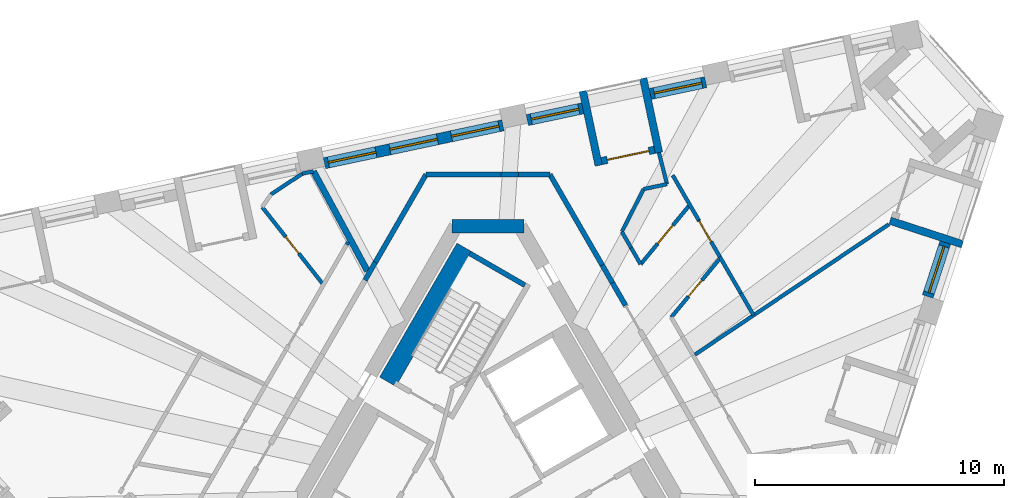
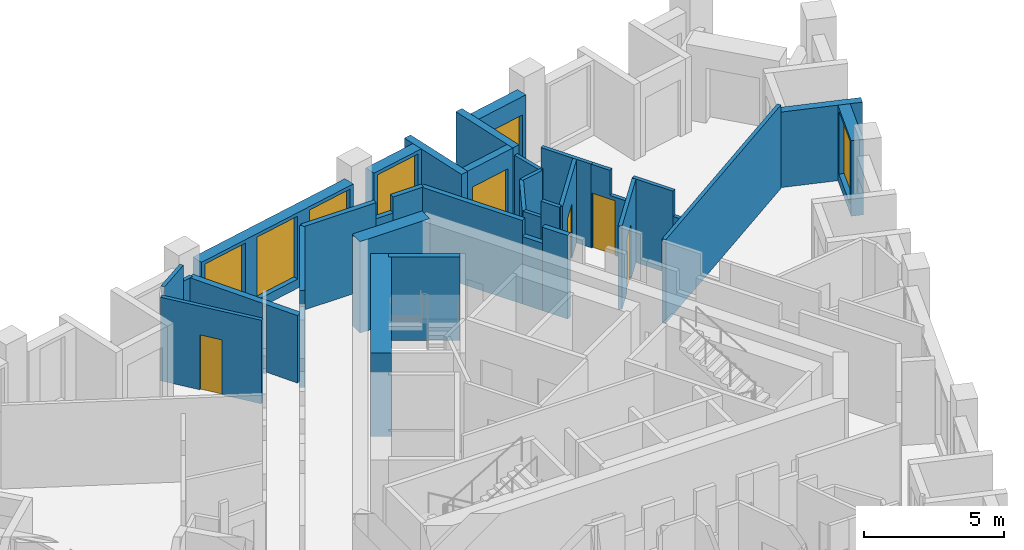
# One storey, part 7 of 12: 36 walls, 6 windows, 5 doors, 11 openings.
"""IFC4 building model written with IfcOpenShell, lengths in metres."""

from ifc_helpers import new_model, si_unit, direction, frame, frame_2d, origin, place, context, subcontext, project, spatial, polyline, rectangle, outline, extrude, material, layer, layer_set, type_object, element, fill, save


model = new_model("IFC4")

# Units and contexts
model_context = context("Model", 3, precision=1e-05, world=origin(), true_north=direction((0.0, 1.0)))
body_context = subcontext(model_context, "Body", "Model", "MODEL_VIEW")
ifc_project = project(units=[si_unit("LENGTHUNIT", "METRE"), si_unit("AREAUNIT", "SQUARE_METRE"), si_unit("VOLUMEUNIT", "CUBIC_METRE"), si_unit("PLANEANGLEUNIT", "RADIAN"), si_unit("MASSUNIT", "GRAM", prefix="KILO")], contexts=[model_context])

# Site, building, storey
site_placement = place(None, origin())
site = spatial("IfcSite", under=ifc_project, at=site_placement, CompositionType="ELEMENT")
building_placement = place(site_placement, origin())
building = spatial("IfcBuilding", under=site, at=building_placement, Name="Tramontana Tower", CompositionType="ELEMENT")
storey_placement = place(building_placement, frame((0.0, 0.0, 336.39990234375)))
storey = spatial("IfcBuildingStorey", under=building, at=storey_placement, Name="L77", CompositionType="ELEMENT", Elevation=336.39990234375)

# Walls
ifc_material_1 = material(Name="Concrete 70 MPa", Category="concrete")
ifc_layer_1 = layer(ifc_material_1, 0.550048828125)
ifc_layer_set_1 = layer_set([ifc_layer_1], Name="Core wall 550 70 MPa")
wall_type_1 = type_object("IfcWallType", Name="Core wall 550 70 MPa", PredefinedType="SHEAR", material=ifc_layer_set_1)
wall_1_placement = place(storey_placement, frame((1.443359375, 10.72509765625, 0.0), z_axis=(0.0, 0.0, 1.0), x_axis=(-1.0, 0.0, 0.0)))
element("IfcWall", 1, at=wall_1_placement, inside=storey, type_object=wall_type_1, Name="Core wall C0 L77", PredefinedType="SHEAR", context=body_context, shape_type="SweptSolid", body=[
    extrude(rectangle(XDim=2.88671875, YDim=0.550048828125, at=frame_2d((1.443359375, 0.0))), origin(), (0.0, 0.0, 1.0), 4.0),
])
ifc_material_2 = material(Name="Blockwork", Category="masonry")
ifc_layer_2 = layer(ifc_material_2, 0.199951171875)
ifc_layer_set_2 = layer_set([ifc_layer_2], Name="ENTRY WALL 200")
wall_type_2 = type_object("IfcWallType", Name="ENTRY WALL 200", PredefinedType="SOLIDWALL", material=ifc_layer_set_2)
wall_2_placement = place(storey_placement, frame((-4.9287109375, 8.563232421875, 0.0), z_axis=(0.0, 0.0, 1.0), x_axis=(0.500046299512, 0.865998671098, 0.0)))
element("IfcWall", 2, at=wall_2_placement, inside=storey, type_object=wall_type_2, Name="Wall v81-ew3-9", PredefinedType="SOLIDWALL", context=body_context, shape_type="SweptSolid", body=[
    extrude(rectangle(XDim=0.82666015625, YDim=0.199951171875, at=frame_2d((0.413330078125, 0.0))), origin(), (0.0, 0.0, 1.0), 2.9501953125),
])
wall_3_placement = place(storey_placement, frame((-4.515380859375, 9.279052734375, 0.0), z_axis=(0.0, 0.0, 1.0), x_axis=(0.499975428181, 0.866039589866, 0.0)))
element("IfcWall", 3, at=wall_3_placement, inside=storey, type_object=wall_type_2, Name="Wall v81-ew3-10", PredefinedType="SOLIDWALL", context=body_context, shape_type="SweptSolid", body=[
    extrude(rectangle(XDim=4.065673828125, YDim=0.199951171875, at=frame_2d((2.03271484375, 0.0))), origin(), (0.0, 0.0, 1.0), 3.650146484375),
])
wall_4_placement = place(storey_placement, frame((-2.482666015625, 12.800048828125, 0.0), z_axis=(0.0, 0.0, 1.0), x_axis=(1.0, 0.0, 0.0)))
element("IfcWall", 4, at=wall_4_placement, inside=storey, type_object=wall_type_2, Name="Wall v81-ew4-0", PredefinedType="SOLIDWALL", context=body_context, shape_type="SweptSolid", body=[
    extrude(rectangle(XDim=3.0029296875, YDim=0.199951171875, at=frame_2d((1.50146484375, 0.0))), origin(), (0.0, 0.0, 1.0), 3.650146484375),
])
wall_5_placement = place(storey_placement, frame((0.520263671875, 12.800048828125, 0.0), z_axis=(0.0, 0.0, 1.0), x_axis=(1.0, 0.0, 0.0)))
element("IfcWall", 5, at=wall_5_placement, inside=storey, type_object=wall_type_2, Name="Wall v81-ew4-1", PredefinedType="SOLIDWALL", context=body_context, shape_type="SweptSolid", body=[
    extrude(rectangle(XDim=0.701416015625, YDim=0.199951171875, at=frame_2d((0.3505859375, 0.0))), origin(), (0.0, 0.0, 1.0), 2.9501953125),
])
wall_6_placement = place(storey_placement, frame((1.2216796875, 12.800048828125, 0.0), z_axis=(0.0, 0.0, 1.0), x_axis=(1.0, 0.0, 0.0)))
element("IfcWall", 6, at=wall_6_placement, inside=storey, type_object=wall_type_2, Name="Wall v81-ew4-2", PredefinedType="SOLIDWALL", context=body_context, shape_type="SweptSolid", body=[
    extrude(rectangle(XDim=1.260986328125, YDim=0.199951171875, at=frame_2d((0.63037109375, 0.0))), origin(), (0.0, 0.0, 1.0), 3.650146484375),
])
wall_7_placement = place(storey_placement, frame((2.482666015625, 12.800048828125, 0.0), z_axis=(0.0, 0.0, 1.0), x_axis=(0.499982771656, -0.866035350345, 0.0)))
element("IfcWall", 7, at=wall_7_placement, inside=storey, type_object=wall_type_2, Name="Wall v81-ew5-0", PredefinedType="SOLIDWALL", context=body_context, shape_type="SweptSolid", body=[
    extrude(rectangle(XDim=4.194580078125, YDim=0.199951171875, at=frame_2d((2.09716796875, 0.0))), origin(), (0.0, 0.0, 1.0), 3.650146484375),
])
wall_8_placement = place(storey_placement, frame((4.579833984375, 9.16748046875, 0.0), z_axis=(0.0, 0.0, 1.0), x_axis=(0.499945576647, -0.866056822842, 0.0)))
element("IfcWall", 8, at=wall_8_placement, inside=storey, type_object=wall_type_2, Name="Wall v81-ew5-1", PredefinedType="SOLIDWALL", context=body_context, shape_type="SweptSolid", body=[
    extrude(rectangle(XDim=0.82080078125, YDim=0.199951171875, at=frame_2d((0.410400390625, 0.0))), origin(), (0.0, 0.0, 1.0), 2.9501953125),
])
wall_9_placement = place(storey_placement, frame((4.990234375, 8.45654296875, 0.0), z_axis=(0.0, 0.0, 1.0), x_axis=(0.500064554934, -0.865988129768, 0.0)))
element("IfcWall", 9, at=wall_9_placement, inside=storey, type_object=wall_type_2, Name="Wall v81-ew5-2", PredefinedType="SOLIDWALL", context=body_context, shape_type="SweptSolid", body=[
    extrude(rectangle(XDim=1.050048828125, YDim=0.199951171875, at=frame_2d((0.52490234375, 0.0))), origin(), (0.0, 0.0, 1.0), 3.650146484375),
])

# Wall, opening, window
ifc_material_3 = material(Name="Precast concrete 60 MPa", Category="concrete")
ifc_layer_3 = layer(ifc_material_3, 0.449951171875)
ifc_layer_set_3 = layer_set([ifc_layer_3], Name="Precast concrete 60 MPa, 450 mm")
wall_type_3 = type_object("IfcWallType", Name="EW1 Stone-faced precast wall 450", PredefinedType="SOLIDWALL", material=ifc_layer_set_3)
wall_10_placement = place(storey_placement, frame((17.632080078125, 7.9091796875, 0.0), z_axis=(0.0, 0.0, 1.0), x_axis=(0.309027740273, 0.951053024674, 0.0)))
wall_10 = element("IfcWall", 10, at=wall_10_placement, inside=storey, type_object=wall_type_3, Name="External wall L77 face 1 bay 5", PredefinedType="SOLIDWALL", context=body_context, shape_type="SweptSolid", body=[
    extrude(rectangle(XDim=2.271240234375, YDim=0.449951171875, at=frame_2d((1.1357421875, 0.0))), origin(), (0.0, 0.0, 1.0), 3.300048828125),
])
opening_1_placement = place(wall_10_placement, frame((0.16064453125, 0.0, 0.39990234375)))
opening_1 = element("IfcOpeningElement", 11, at=opening_1_placement, cuts=wall_10, Name="Opening M3", PredefinedType="OPENING", context=body_context, shape_type="SweptSolid", body=[
    extrude(rectangle(XDim=1.949951171875, YDim=2.75, at=frame_2d((0.97509765625, 1.375))), frame((0.0, 0.23486328125, 0.0), z_axis=(0.0, -1.0, 0.0), x_axis=(1.0, 0.0, 0.0)), (0.0, 0.0, 1.0), 0.469970703125),
])
ifc_material_4 = material(Name="Aluminum frame, double glazing unit", Category="aluminium")
window_type_1 = type_object("IfcWindowType", Name="M3 Window 1.95 x 2.75", PartitioningType="SINGLE_PANEL", PredefinedType="WINDOW", material=ifc_material_4)
window_1_placement = place(opening_1_placement, origin())
window_1 = element("IfcWindow", 12, at=window_1_placement, inside=storey, type_object=window_type_1, Name="Window M3 L77 face 1 module 13", OverallHeight=2.75, OverallWidth=1.949951171875, PartitioningType="SINGLE_PANEL", PredefinedType="WINDOW", context=body_context, shape_type="SweptSolid", body=[
    extrude(rectangle(XDim=1.949951171875, YDim=2.75, at=frame_2d((0.97509765625, 1.375))), frame((0.0, 0.030029296875, 0.0), z_axis=(0.0, -1.0, 0.0), x_axis=(1.0, 0.0, 0.0)), (0.0, 0.0, 1.0), 0.06005859375),
])
fill(opening_1, window_1)

wall_11_placement = place(storey_placement, frame((8.73095703125, 16.500732421875, 0.0), z_axis=(0.0, 0.0, 1.0), x_axis=(-0.978153386925, -0.207884467067, 0.0)))
wall_11 = element("IfcWall", 13, at=wall_11_placement, inside=storey, type_object=wall_type_3, Name="External wall L77 face 2 bay 2", PredefinedType="SOLIDWALL", context=body_context, shape_type="SweptSolid", body=[
    extrude(rectangle(XDim=2.271240234375, YDim=0.449951171875, at=frame_2d((1.1357421875, 0.0))), origin(), (0.0, 0.0, 1.0), 3.300048828125),
])
opening_2_placement = place(wall_11_placement, frame((0.16064453125, 0.0, 0.39990234375)))
opening_2 = element("IfcOpeningElement", 14, at=opening_2_placement, cuts=wall_11, Name="Opening M3L", PredefinedType="OPENING", context=body_context, shape_type="SweptSolid", body=[
    extrude(rectangle(XDim=1.949951171875, YDim=2.10009765625, at=frame_2d((0.97509765625, 1.050048828125))), frame((0.0, 0.23486328125, 0.0), z_axis=(0.0, -1.0, 0.0), x_axis=(1.0, 0.0, 0.0)), (0.0, 0.0, 1.0), 0.469970703125),
])
ifc_material_5 = material(Name="Aluminum frame, double glazing unit", Category="aluminium")
window_type_2 = type_object("IfcWindowType", Name="M3L Window 1.95 x 2.1", PartitioningType="SINGLE_PANEL", PredefinedType="WINDOW", material=ifc_material_5)
window_2_placement = place(opening_2_placement, origin())
window_2 = element("IfcWindow", 15, at=window_2_placement, inside=storey, type_object=window_type_2, Name="Window M3L L77 face 2 module 4", OverallHeight=2.10009765625, OverallWidth=1.949951171875, PartitioningType="SINGLE_PANEL", PredefinedType="WINDOW", context=body_context, shape_type="SweptSolid", body=[
    extrude(rectangle(XDim=1.949951171875, YDim=2.10009765625, at=frame_2d((0.97509765625, 1.050048828125))), frame((0.0, 0.030029296875, 0.0), z_axis=(0.0, -1.0, 0.0), x_axis=(1.0, 0.0, 0.0)), (0.0, 0.0, 1.0), 0.06005859375),
])
fill(opening_2, window_2)

wall_12_placement = place(storey_placement, frame((3.798583984375, 15.452392578125, 0.0), z_axis=(0.0, 0.0, 1.0), x_axis=(-0.978153386925, -0.207884467067, 0.0)))
wall_12 = element("IfcWall", 16, at=wall_12_placement, inside=storey, type_object=wall_type_3, Name="External wall L77 face 2 bay 2", PredefinedType="SOLIDWALL", context=body_context, shape_type="SweptSolid", body=[
    extrude(rectangle(XDim=2.271240234375, YDim=0.449951171875, at=frame_2d((1.1357421875, 0.0))), origin(), (0.0, 0.0, 1.0), 3.300048828125),
])
opening_3_placement = place(wall_12_placement, frame((0.16064453125, 0.0, 0.39990234375)))
opening_3 = element("IfcOpeningElement", 17, at=opening_3_placement, cuts=wall_12, Name="Opening M3", PredefinedType="OPENING", context=body_context, shape_type="SweptSolid", body=[
    extrude(rectangle(XDim=1.949951171875, YDim=2.75, at=frame_2d((0.97509765625, 1.375))), frame((0.0, 0.23486328125, 0.0), z_axis=(0.0, -1.0, 0.0), x_axis=(1.0, 0.0, 0.0)), (0.0, 0.0, 1.0), 0.469970703125),
])
window_3_placement = place(opening_3_placement, origin())
window_3 = element("IfcWindow", 18, at=window_3_placement, inside=storey, type_object=window_type_1, Name="Window M3 L77 face 2 module 6", OverallHeight=2.75, OverallWidth=1.949951171875, PartitioningType="SINGLE_PANEL", PredefinedType="WINDOW", context=body_context, shape_type="SweptSolid", body=[
    extrude(rectangle(XDim=1.949951171875, YDim=2.75, at=frame_2d((0.97509765625, 1.375))), frame((0.0, 0.030029296875, 0.0), z_axis=(0.0, -1.0, 0.0), x_axis=(1.0, 0.0, 0.0)), (0.0, 0.0, 1.0), 0.06005859375),
])
fill(opening_3, window_3)

# Wall, openings, windows
wall_13_placement = place(storey_placement, frame((0.5986328125, 14.772216796875, 0.0), z_axis=(0.0, 0.0, 1.0), x_axis=(-0.978151299843, -0.207894287118, 0.0)))
wall_13 = element("IfcWall", 19, at=wall_13_placement, inside=storey, type_object=wall_type_3, Name="External wall L77 face 2 bay 3", PredefinedType="SOLIDWALL", context=body_context, shape_type="SweptSolid", body=[
    extrude(rectangle(XDim=7.31396484375, YDim=0.449951171875, at=frame_2d((3.656982421875, 0.0))), origin(), (0.0, 0.0, 1.0), 3.300048828125),
])
opening_4_placement = place(wall_13_placement, frame((0.16064453125, 0.0, 0.39990234375)))
opening_4 = element("IfcOpeningElement", 20, at=opening_4_placement, cuts=wall_13, Name="Opening M3", PredefinedType="OPENING", context=body_context, shape_type="SweptSolid", body=[
    extrude(rectangle(XDim=1.949951171875, YDim=2.75, at=frame_2d((0.97509765625, 1.375))), frame((0.0, 0.23486328125, 0.0), z_axis=(0.0, -1.0, 0.0), x_axis=(1.0, 0.0, 0.0)), (0.0, 0.0, 1.0), 0.469970703125),
])
opening_5_placement = place(wall_13_placement, frame((2.681884765625, 0.0, 0.39990234375)))
opening_5 = element("IfcOpeningElement", 21, at=opening_5_placement, cuts=wall_13, Name="Opening M3", PredefinedType="OPENING", context=body_context, shape_type="SweptSolid", body=[
    extrude(rectangle(XDim=1.949951171875, YDim=2.75, at=frame_2d((0.97509765625, 1.375))), frame((0.0, 0.23486328125, 0.0), z_axis=(0.0, -1.0, 0.0), x_axis=(1.0, 0.0, 0.0)), (0.0, 0.0, 1.0), 0.469970703125),
])
opening_6_placement = place(wall_13_placement, frame((5.203125, 0.0, 0.39990234375)))
opening_6 = element("IfcOpeningElement", 22, at=opening_6_placement, cuts=wall_13, Name="Opening M3", PredefinedType="OPENING", context=body_context, shape_type="SweptSolid", body=[
    extrude(rectangle(XDim=1.949951171875, YDim=2.75, at=frame_2d((0.97509765625, 1.375))), frame((0.0, 0.23486328125, 0.0), z_axis=(0.0, -1.0, 0.0), x_axis=(1.0, 0.0, 0.0)), (0.0, 0.0, 1.0), 0.469970703125),
])
window_4_placement = place(opening_4_placement, origin())
window_4 = element("IfcWindow", 23, at=window_4_placement, inside=storey, type_object=window_type_1, Name="Window M3 L77 face 2 module 7", OverallHeight=2.75, OverallWidth=1.949951171875, PartitioningType="SINGLE_PANEL", PredefinedType="WINDOW", context=body_context, shape_type="SweptSolid", body=[
    extrude(rectangle(XDim=1.949951171875, YDim=2.75, at=frame_2d((0.97509765625, 1.375))), frame((0.0, 0.030029296875, 0.0), z_axis=(0.0, -1.0, 0.0), x_axis=(1.0, 0.0, 0.0)), (0.0, 0.0, 1.0), 0.06005859375),
])
fill(opening_4, window_4)
window_5_placement = place(opening_5_placement, origin())
window_5 = element("IfcWindow", 24, at=window_5_placement, inside=storey, type_object=window_type_1, Name="Window M3 L77 face 2 module 8", OverallHeight=2.75, OverallWidth=1.949951171875, PartitioningType="SINGLE_PANEL", PredefinedType="WINDOW", context=body_context, shape_type="SweptSolid", body=[
    extrude(rectangle(XDim=1.949951171875, YDim=2.75, at=frame_2d((0.97509765625, 1.375))), frame((0.0, 0.030029296875, 0.0), z_axis=(0.0, -1.0, 0.0), x_axis=(1.0, 0.0, 0.0)), (0.0, 0.0, 1.0), 0.06005859375),
])
fill(opening_5, window_5)
window_6_placement = place(opening_6_placement, origin())
window_6 = element("IfcWindow", 25, at=window_6_placement, inside=storey, type_object=window_type_1, Name="Window M3 L77 face 2 module 9", OverallHeight=2.75, OverallWidth=1.949951171875, PartitioningType="SINGLE_PANEL", PredefinedType="WINDOW", context=body_context, shape_type="SweptSolid", body=[
    extrude(rectangle(XDim=1.949951171875, YDim=2.75, at=frame_2d((0.97509765625, 1.375))), frame((0.0, 0.030029296875, 0.0), z_axis=(0.0, -1.0, 0.0), x_axis=(1.0, 0.0, 0.0)), (0.0, 0.0, 1.0), 0.06005859375),
])
fill(opening_6, window_6)

# Wall
ifc_material_6 = material(Name="Precast concrete 60 MPa", Category="concrete")
ifc_layer_4 = layer(ifc_material_6, 0.300048828125)
ifc_layer_set_4 = layer_set([ifc_layer_4], Name="LW1 Stone-faced loggia wall 300")
wall_type_4 = type_object("IfcWallType", Name="LW1 Stone-faced loggia wall 300", PredefinedType="SOLIDWALL", material=ifc_layer_set_4)
wall_14_placement = place(storey_placement, frame((19.022216796875, 10.00341796875, 0.0), z_axis=(0.0, 0.0, 1.0), x_axis=(-0.951041715693, 0.309062542235, 0.0)))
element("IfcWall", 26, at=wall_14_placement, inside=storey, type_object=wall_type_4, Name="Loggia return L77 G8S1.13a", PredefinedType="SOLIDWALL", context=body_context, shape_type="SweptSolid", body=[
    extrude(rectangle(XDim=3.050048828125, YDim=0.300048828125, at=frame_2d((1.52490234375, 0.0))), origin(), (0.0, 0.0, 1.0), 3.300048828125),
])

# Wall, opening, door
wall_15_placement = place(storey_placement, frame((6.678466796875, 13.789794921875, 0.0), z_axis=(0.0, 0.0, 1.0), x_axis=(-0.978153135692, -0.207885649183, 0.0)))
wall_15 = element("IfcWall", 27, at=wall_15_placement, inside=storey, type_object=wall_type_4, Name="Loggia wall L77 G8S2.4", PredefinedType="SOLIDWALL", context=body_context, shape_type="SweptSolid", body=[
    extrude(rectangle(XDim=2.17138671875, YDim=0.300048828125, at=frame_2d((1.085693359375, 0.0))), origin(), (0.0, 0.0, 1.0), 3.300048828125),
])
opening_7_placement = place(wall_15_placement, frame((0.235595703125, 0.0, 0.0)))
opening_7 = element("IfcOpeningElement", 28, at=opening_7_placement, cuts=wall_15, Name="Opening BD-8S2-04", PredefinedType="OPENING", context=body_context, shape_type="SweptSolid", body=[
    extrude(rectangle(XDim=1.699951171875, YDim=2.5, at=frame_2d((0.85009765625, 1.25))), frame((0.0, 0.159912109375, 0.0), z_axis=(0.0, -1.0, 0.0), x_axis=(1.0, 0.0, 0.0)), (0.0, 0.0, 1.0), 0.320068359375),
])
ifc_material_7 = material(Name="Aluminum frame, double glazing unit", Category="aluminium")
door_type_1 = type_object("IfcDoorType", Name="BD3 Sliding door 1.7 x 2.5", OperationType="SLIDING_TO_LEFT", PredefinedType="DOOR", material=ifc_material_7)
door_1_placement = place(opening_7_placement, origin())
door_1 = element("IfcDoor", 29, at=door_1_placement, inside=storey, type_object=door_type_1, Name="Loggia door L77 G8S2.4", OperationType="SLIDING_TO_LEFT", OverallHeight=2.5, OverallWidth=1.699951171875, PredefinedType="DOOR", context=body_context, shape_type="SweptSolid", body=[
    extrude(rectangle(XDim=1.699951171875, YDim=2.5, at=frame_2d((0.85009765625, 1.25))), frame((0.0, 0.02490234375, 0.0), z_axis=(0.0, -1.0, 0.0), x_axis=(1.0, 0.0, 0.0)), (0.0, 0.0, 1.0), 0.050048828125),
])
fill(opening_7, door_1)

# Walls
for number, where, z_axis, x_axis, name in (
    (30, (6.22216796875, 16.65771484375, 0.0), (0.0, 0.0, 1.0), (0.207877902534, -0.978154782045, 0.0), "Loggia return L77 G8S2.4a"),
    (31, (3.804931640625, 16.143798828125, 0.0), (0.0, 0.0, 1.0), (0.207877902534, -0.978154782045, 0.0), "Loggia return L77 G8S2.4b"),
):
    element("IfcWall", number, at=place(storey_placement, frame(where, z_axis=z_axis, x_axis=x_axis)), inside=storey, type_object=wall_type_4, Name=name, PredefinedType="SOLIDWALL", context=body_context, shape_type="SweptSolid", body=[
        extrude(rectangle(XDim=3.050048828125, YDim=0.300048828125, at=frame_2d((1.52490234375, 0.0))), origin(), (0.0, 0.0, 1.0), 3.300048828125),
    ])
ifc_material_8 = material(Name="Gypsum board partition")
ifc_layer_5 = layer(ifc_material_8, 0.14990234375)
ifc_layer_set_5 = layer_set([ifc_layer_5], Name="PARTITION 150")
wall_type_5 = type_object("IfcWallType", Name="PARTITION 150", PredefinedType="PARTITIONING", material=ifc_layer_set_5)
wall_16_placement = place(storey_placement, frame((-5.666748046875, 9.984619140625, 0.0), z_axis=(0.0, 0.0, 1.0), x_axis=(0.499323735398, 0.866415493437, 0.0)))
element("IfcWall", 32, at=wall_16_placement, inside=storey, type_object=wall_type_5, Name="Wall v81-pw07-8", PredefinedType="PARTITIONING", context=body_context, shape_type="SweptSolid", body=[
    extrude(rectangle(XDim=0.123779296875, YDim=0.14990234375, at=frame_2d((0.06201171875, 0.0))), origin(), (0.0, 0.0, 1.0), 2.9501953125),
])
wall_17_placement = place(storey_placement, frame((-8.701416015625, 12.000732421875, 0.0), z_axis=(0.0, 0.0, 1.0), x_axis=(0.834111861679, 0.551595324678, 0.0)))
element("IfcWall", 33, at=wall_17_placement, inside=storey, type_object=wall_type_5, Name="Wall v81-pw08", PredefinedType="PARTITIONING", context=body_context, shape_type="SweptSolid", body=[
    extrude(rectangle(XDim=1.508056640625, YDim=0.14990234375, at=frame_2d((0.75390625, 0.0))), origin(), (0.0, 0.0, 1.0), 3.650146484375),
])

# Wall, opening, door
wall_18_placement = place(storey_placement, frame((-9.052001953125, 11.494384765625, 0.0), z_axis=(0.0, 0.0, 1.0), x_axis=(0.618736062821, -0.785598933658, 0.0)))
wall_18 = element("IfcWall", 34, at=wall_18_placement, inside=storey, type_object=wall_type_5, Name="Wall v81-pw10", PredefinedType="PARTITIONING", context=body_context, shape_type="SweptSolid", body=[
    extrude(rectangle(XDim=3.888916015625, YDim=0.14990234375, at=frame_2d((1.9443359375, 0.0))), origin(), (0.0, 0.0, 1.0), 3.650146484375),
])
opening_8_placement = place(wall_18_placement, frame((1.51953125, 0.0, 0.0)))
opening_8 = element("IfcOpeningElement", 35, at=opening_8_placement, cuts=wall_18, Name="Opening B8B-05", PredefinedType="OPENING", context=body_context, shape_type="SweptSolid", body=[
    extrude(rectangle(XDim=0.85009765625, YDim=2.39990234375, at=frame_2d((0.425048828125, 1.199951171875))), frame((0.0, 0.0849609375, 0.0), z_axis=(0.0, -1.0, 0.0), x_axis=(1.0, 0.0, 0.0)), (0.0, 0.0, 1.0), 0.169921875),
])
ifc_material_9 = material(Name="Painted timber", Category="wood")
door_type_2 = type_object("IfcDoorType", Name="DOOR BATH 850", OperationType="SINGLE_SWING_LEFT", PredefinedType="DOOR", material=ifc_material_9)
door_2_placement = place(opening_8_placement, origin())
door_2 = element("IfcDoor", 36, at=door_2_placement, inside=storey, type_object=door_type_2, Name="Door B8B-05", OperationType="SINGLE_SWING_LEFT", OverallHeight=2.39990234375, OverallWidth=0.85009765625, PredefinedType="DOOR", context=body_context, shape_type="SweptSolid", body=[
    extrude(rectangle(XDim=0.85009765625, YDim=2.39990234375, at=frame_2d((0.425048828125, 1.199951171875))), frame((0.0, 0.02490234375, 0.0), z_axis=(0.0, -1.0, 0.0), x_axis=(1.0, 0.0, 0.0)), (0.0, 0.0, 1.0), 0.050048828125),
])
fill(opening_8, door_2)

# Walls
wall_19_placement = place(storey_placement, frame((5.36767578125, 10.5029296875, 0.0), z_axis=(0.0, 0.0, 1.0), x_axis=(0.49999788721, -0.866026623601, 0.0)))
element("IfcWall", 37, at=wall_19_placement, inside=storey, type_object=wall_type_5, Name="Wall v81-pw16-0", PredefinedType="PARTITIONING", context=body_context, shape_type="SweptSolid", body=[
    extrude(rectangle(XDim=0.74169921875, YDim=0.14990234375, at=frame_2d((0.370849609375, 0.0))), origin(), (0.0, 0.0, 1.0), 2.9501953125),
])
wall_20_placement = place(storey_placement, frame((5.738525390625, 9.860595703125, 0.0), z_axis=(0.0, 0.0, 1.0), x_axis=(0.499945245186, -0.866057014183, 0.0)))
element("IfcWall", 38, at=wall_20_placement, inside=storey, type_object=wall_type_5, Name="Wall v81-pw16-1", PredefinedType="PARTITIONING", context=body_context, shape_type="SweptSolid", body=[
    extrude(rectangle(XDim=0.7587890625, YDim=0.14990234375, at=frame_2d((0.37939453125, 0.0))), origin(), (0.0, 0.0, 1.0), 3.650146484375),
])

# Wall, opening, door
wall_21_placement = place(storey_placement, frame((6.123046875, 9.202880859375, 0.0), z_axis=(0.0, 0.0, 1.0), x_axis=(0.637527238258, 0.770427816527, 0.0)))
wall_21 = element("IfcWall", 39, at=wall_21_placement, inside=storey, type_object=wall_type_5, Name="Wall v81-pw17", PredefinedType="PARTITIONING", context=body_context, shape_type="SweptSolid", body=[
    extrude(rectangle(XDim=3.086181640625, YDim=0.14990234375, at=frame_2d((1.54296875, 0.0))), origin(), (0.0, 0.0, 1.0), 3.650146484375),
])
opening_9_placement = place(wall_21_placement, frame((1.068115234375, 0.0, 0.0)))
opening_9 = element("IfcOpeningElement", 40, at=opening_9_placement, cuts=wall_21, Name="Opening B8B-10", PredefinedType="OPENING", context=body_context, shape_type="SweptSolid", body=[
    extrude(rectangle(XDim=0.949951171875, YDim=2.39990234375, at=frame_2d((0.47509765625, 1.199951171875))), frame((0.0, 0.0849609375, 0.0), z_axis=(0.0, -1.0, 0.0), x_axis=(1.0, 0.0, 0.0)), (0.0, 0.0, 1.0), 0.169921875),
])
ifc_material_10 = material(Name="Painted timber", Category="wood")
door_type_3 = type_object("IfcDoorType", Name="DOOR ROOM 950", OperationType="SINGLE_SWING_LEFT", PredefinedType="DOOR", material=ifc_material_10)
door_3_placement = place(opening_9_placement, origin())
door_3 = element("IfcDoor", 41, at=door_3_placement, inside=storey, type_object=door_type_3, Name="Door B8B-10", OperationType="SINGLE_SWING_RIGHT", OverallHeight=2.39990234375, OverallWidth=0.949951171875, PredefinedType="DOOR", context=body_context, shape_type="SweptSolid", body=[
    extrude(rectangle(XDim=0.949951171875, YDim=2.39990234375, at=frame_2d((0.47509765625, 1.199951171875))), frame((0.0, 0.02490234375, 0.0), z_axis=(0.0, -1.0, 0.0), x_axis=(1.0, 0.0, 0.0)), (0.0, 0.0, 1.0), 0.050048828125),
])
fill(opening_9, door_3)

# Walls
wall_22_placement = place(storey_placement, frame((6.24072265625, 12.213623046875, 0.0), z_axis=(0.0, 0.0, 1.0), x_axis=(-0.454983274657, -0.890499983033, 0.0)))
element("IfcWall", 42, at=wall_22_placement, inside=storey, type_object=wall_type_5, Name="Wall v81-pw18-0", PredefinedType="PARTITIONING", context=body_context, shape_type="SweptSolid", body=[
    extrude(rectangle(XDim=1.9189453125, YDim=0.14990234375, at=frame_2d((0.95947265625, 0.0))), origin(), (0.0, 0.0, 1.0), 2.9501953125),
])
wall_23_placement = place(storey_placement, frame((6.856201171875, 13.67431640625, 0.0), z_axis=(0.0, 0.0, 1.0), x_axis=(0.245448654104, -0.969409592586, 0.0)))
element("IfcWall", 43, at=wall_23_placement, inside=storey, type_object=wall_type_5, Name="Wall v81-pw20-0", PredefinedType="PARTITIONING", context=body_context, shape_type="SweptSolid", body=[
    extrude(rectangle(XDim=1.301025390625, YDim=0.14990234375, at=frame_2d((0.650390625, 0.0))), origin(), (0.0, 0.0, 1.0), 2.9501953125),
])
wall_24_placement = place(storey_placement, frame((7.17529296875, 12.4130859375, 0.0), z_axis=(0.0, 0.0, 1.0), x_axis=(-0.978167956207, -0.207815902784, 0.0)))
element("IfcWall", 44, at=wall_24_placement, inside=storey, type_object=wall_type_5, Name="Wall v81-pw23-0", PredefinedType="PARTITIONING", context=body_context, shape_type="SweptSolid", body=[
    extrude(rectangle(XDim=0.953857421875, YDim=0.14990234375, at=frame_2d((0.47705078125, 0.0))), origin(), (0.0, 0.0, 1.0), 2.9501953125),
])
wall_25_placement = place(storey_placement, frame((7.4072265625, 12.7705078125, 0.0), z_axis=(0.0, 0.0, 1.0), x_axis=(0.499963683025, -0.866046370384, 0.0)))
element("IfcWall", 45, at=wall_25_placement, inside=storey, type_object=wall_type_5, Name="Wall v81-pw26-0", PredefinedType="PARTITIONING", context=body_context, shape_type="SweptSolid", body=[
    extrude(rectangle(XDim=2.073486328125, YDim=0.14990234375, at=frame_2d((1.03662109375, 0.0))), origin(), (0.0, 0.0, 1.0), 3.650146484375),
])

# Wall, opening, door
wall_26_placement = place(storey_placement, frame((8.44384765625, 10.974853515625, 0.0), z_axis=(0.0, 0.0, 1.0), x_axis=(0.499958946799, -0.866049104564, 0.0)))
wall_26 = element("IfcWall", 46, at=wall_26_placement, inside=storey, type_object=wall_type_5, Name="Wall v81-pw26-1", PredefinedType="PARTITIONING", context=body_context, shape_type="SweptSolid", body=[
    extrude(outline(polyline([(0.0, 0.0), (1.697998046875, 0.0), (1.69775390625, 2.550048828125), (0.780029296875, 2.550048828125), (0.780029296875, 3.650146484375), (0.0, 3.650146484375), (0.0, 0.0)])), frame((0.0, 0.074951171875, 0.0), z_axis=(0.0, -1.0, 0.0), x_axis=(1.0, 0.0, 0.0)), (0.0, 0.0, 1.0), 0.14990234375),
])
opening_10_placement = place(wall_26_placement, frame((0.050048828125, 0.0, 0.0)))
opening_10 = element("IfcOpeningElement", 47, at=opening_10_placement, cuts=wall_26, Name="Opening B8B-12", PredefinedType="OPENING", context=body_context, shape_type="SweptSolid", body=[
    extrude(rectangle(XDim=0.949951171875, YDim=2.39990234375, at=frame_2d((0.47509765625, 1.199951171875))), frame((0.0, 0.0849609375, 0.0), z_axis=(0.0, -1.0, 0.0), x_axis=(1.0, 0.0, 0.0)), (0.0, 0.0, 1.0), 0.169921875),
])
door_4_placement = place(opening_10_placement, origin())
door_4 = element("IfcDoor", 48, at=door_4_placement, inside=storey, type_object=door_type_3, Name="Door B8B-12", OperationType="SINGLE_SWING_RIGHT", OverallHeight=2.39990234375, OverallWidth=0.949951171875, PredefinedType="DOOR", context=body_context, shape_type="SweptSolid", body=[
    extrude(rectangle(XDim=0.949951171875, YDim=2.39990234375, at=frame_2d((0.47509765625, 1.199951171875))), frame((0.0, 0.02490234375, 0.0), z_axis=(0.0, -1.0, 0.0), x_axis=(1.0, 0.0, 0.0)), (0.0, 0.0, 1.0), 0.050048828125),
])
fill(opening_10, door_4)

# Walls
wall_27_placement = place(storey_placement, frame((9.292724609375, 9.50439453125, 0.0), z_axis=(0.0, 0.0, 1.0), x_axis=(0.500046963369, -0.865998287773, 0.0)))
element("IfcWall", 49, at=wall_27_placement, inside=storey, type_object=wall_type_5, Name="Wall v81-pw26-2", PredefinedType="PARTITIONING", context=body_context, shape_type="SweptSolid", body=[
    extrude(rectangle(XDim=1.693115234375, YDim=0.14990234375, at=frame_2d((0.8466796875, 0.0))), origin(), (0.0, 0.0, 1.0), 3.650146484375),
])
wall_28_placement = place(storey_placement, frame((10.139404296875, 8.0380859375, 0.0), z_axis=(0.0, 0.0, 1.0), x_axis=(0.49999308822, -0.866029394266, 0.0)))
element("IfcWall", 50, at=wall_28_placement, inside=storey, type_object=wall_type_5, Name="Wall v81-pw26-3", PredefinedType="PARTITIONING", context=body_context, shape_type="SweptSolid", body=[
    extrude(rectangle(XDim=1.01513671875, YDim=0.14990234375, at=frame_2d((0.507568359375, 0.0))), origin(), (0.0, 0.0, 1.0), 2.550048828125),
])

# Wall, opening, door
wall_29_placement = place(storey_placement, frame((9.2685546875, 9.396240234375, 0.0), z_axis=(0.0, 0.0, 1.0), x_axis=(-0.637589281978, -0.770376471283, 0.0)))
wall_29 = element("IfcWall", 51, at=wall_29_placement, inside=storey, type_object=wall_type_5, Name="Wall v81-pw30", PredefinedType="PARTITIONING", context=body_context, shape_type="SweptSolid", body=[
    extrude(rectangle(XDim=3.01171875, YDim=0.14990234375, at=frame_2d((1.505859375, 0.0))), origin(), (0.0, 0.0, 1.0), 3.650146484375),
])
opening_11_placement = place(wall_29_placement, frame((1.080810546875, 0.0, 0.0)))
opening_11 = element("IfcOpeningElement", 52, at=opening_11_placement, cuts=wall_29, Name="Opening B8B-11", PredefinedType="OPENING", context=body_context, shape_type="SweptSolid", body=[
    extrude(rectangle(XDim=0.85009765625, YDim=2.39990234375, at=frame_2d((0.425048828125, 1.199951171875))), frame((0.0, 0.0849609375, 0.0), z_axis=(0.0, -1.0, 0.0), x_axis=(1.0, 0.0, 0.0)), (0.0, 0.0, 1.0), 0.169921875),
])
door_5_placement = place(opening_11_placement, origin())
door_5 = element("IfcDoor", 53, at=door_5_placement, inside=storey, type_object=door_type_2, Name="Door B8B-11", OperationType="SINGLE_SWING_LEFT", OverallHeight=2.39990234375, OverallWidth=0.85009765625, PredefinedType="DOOR", context=body_context, shape_type="SweptSolid", body=[
    extrude(rectangle(XDim=0.85009765625, YDim=2.39990234375, at=frame_2d((0.425048828125, 1.199951171875))), frame((0.0, 0.02490234375, 0.0), z_axis=(0.0, -1.0, 0.0), x_axis=(1.0, 0.0, 0.0)), (0.0, 0.0, 1.0), 0.050048828125),
])
fill(opening_11, door_5)

# Walls
wall_30_placement = place(storey_placement, frame((16.0751953125, 10.80322265625, 0.0), z_axis=(0.0, 0.0, 1.0), x_axis=(-0.829988156032, -0.557781015137, 0.0)))
element("IfcWall", 54, at=wall_30_placement, inside=storey, type_object=wall_type_5, Name="Wall v81-pw36", PredefinedType="PARTITIONING", context=body_context, shape_type="SweptSolid", body=[
    extrude(rectangle(XDim=9.369873046875, YDim=0.14990234375, at=frame_2d((4.68505859375, 0.0))), origin(), (0.0, 0.0, 1.0), 3.650146484375),
])
wall_31_placement = place(storey_placement, frame((-7.443603515625, 12.83251953125, 0.0), z_axis=(0.0, 0.0, 1.0), x_axis=(0.978075778023, 0.208249303586, 0.0)))
element("IfcWall", 55, at=wall_31_placement, inside=storey, type_object=wall_type_5, Name="Wall v81-pwc01-0", PredefinedType="PARTITIONING", context=body_context, shape_type="SweptSolid", body=[
    extrude(rectangle(XDim=0.4560546875, YDim=0.14990234375, at=frame_2d((0.22802734375, 0.0))), origin(), (0.0, 0.0, 1.0), 2.9501953125),
])
ifc_material_11 = material(Name="Blockwork", Category="masonry")
ifc_layer_6 = layer(ifc_material_11, 0.25)
ifc_layer_set_6 = layer_set([ifc_layer_6], Name="PARTY WALL 250")
wall_type_6 = type_object("IfcWallType", Name="PARTY WALL 250", PredefinedType="SOLIDWALL", material=ifc_layer_set_6)
wall_32_placement = place(storey_placement, frame((-6.99755859375, 12.927490234375, 0.0), z_axis=(0.0, 0.0, 1.0), x_axis=(0.476016735914, -0.879436221184, 0.0)))
element("IfcWall", 56, at=wall_32_placement, inside=storey, type_object=wall_type_6, Name="Wall v81-pw09-0", PredefinedType="SOLIDWALL", context=body_context, shape_type="SweptSolid", body=[
    extrude(rectangle(XDim=4.546630859375, YDim=0.25, at=frame_2d((2.2734375, 0.0))), origin(), (0.0, 0.0, 1.0), 2.9501953125),
])
ifc_material_12 = material(Name="Concrete 70 MPa", Category="concrete")
ifc_layer_7 = layer(ifc_material_12, 0.75)
ifc_layer_set_7 = layer_set([ifc_layer_7], Name="Concrete 70 MPa, 750 mm")
wall_type_7 = type_object("IfcWallType", Name="RC SHAFT BACK WALL 750", PredefinedType="SOLIDWALL", material=ifc_layer_set_7)
wall_33_placement = place(storey_placement, frame((-0.91796875, 9.85986328125, 0.0), z_axis=(0.0, 0.0, 1.0), x_axis=(-0.500026960575, -0.86600983753, 0.0)))
element("IfcWall", 57, at=wall_33_placement, inside=storey, type_object=wall_type_7, Name="Wall st1-back", PredefinedType="SOLIDWALL", context=body_context, shape_type="SweptSolid", body=[
    extrude(rectangle(XDim=6.199951171875, YDim=0.75, at=frame_2d((3.10009765625, 0.0))), origin(), (0.0, 0.0, 1.0), 3.650146484375),
])
ifc_material_13 = material(Name="Concrete 70 MPa", Category="concrete")
ifc_layer_8 = layer(ifc_material_13, 0.199951171875)
ifc_layer_set_8 = layer_set([ifc_layer_8], Name="Concrete 70 MPa, 200 mm")
wall_type_8 = type_object("IfcWallType", Name="RC STAIR AND SHAFT WALL 200", PredefinedType="SOLIDWALL", material=ifc_layer_set_8)
wall_34_placement = place(storey_placement, frame((1.478515625, 8.36083984375, 0.0), z_axis=(0.0, 0.0, 1.0), x_axis=(-0.865989465428, 0.500062241894, 0.0)))
element("IfcWall", 58, at=wall_34_placement, inside=storey, type_object=wall_type_8, Name="Wall st1-far", PredefinedType="SOLIDWALL", context=body_context, shape_type="SweptSolid", body=[
    extrude(rectangle(XDim=2.550048828125, YDim=0.199951171875, at=frame_2d((1.27490234375, 0.0))), origin(), (0.0, 0.0, 1.0), 3.650146484375),
])

save(model, "model.ifc")
